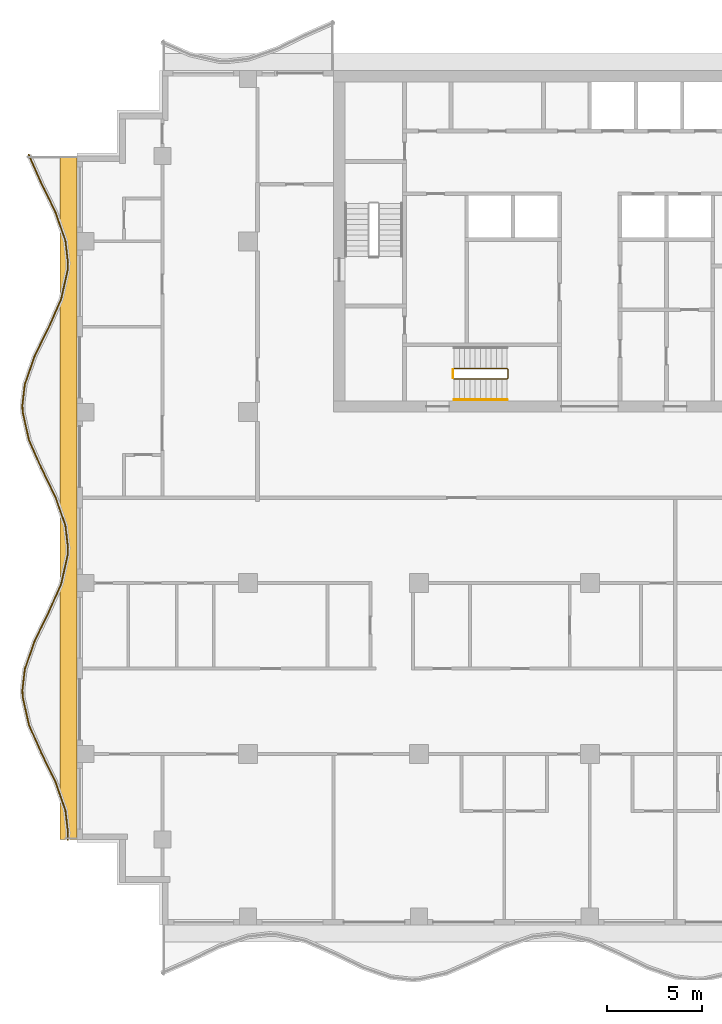
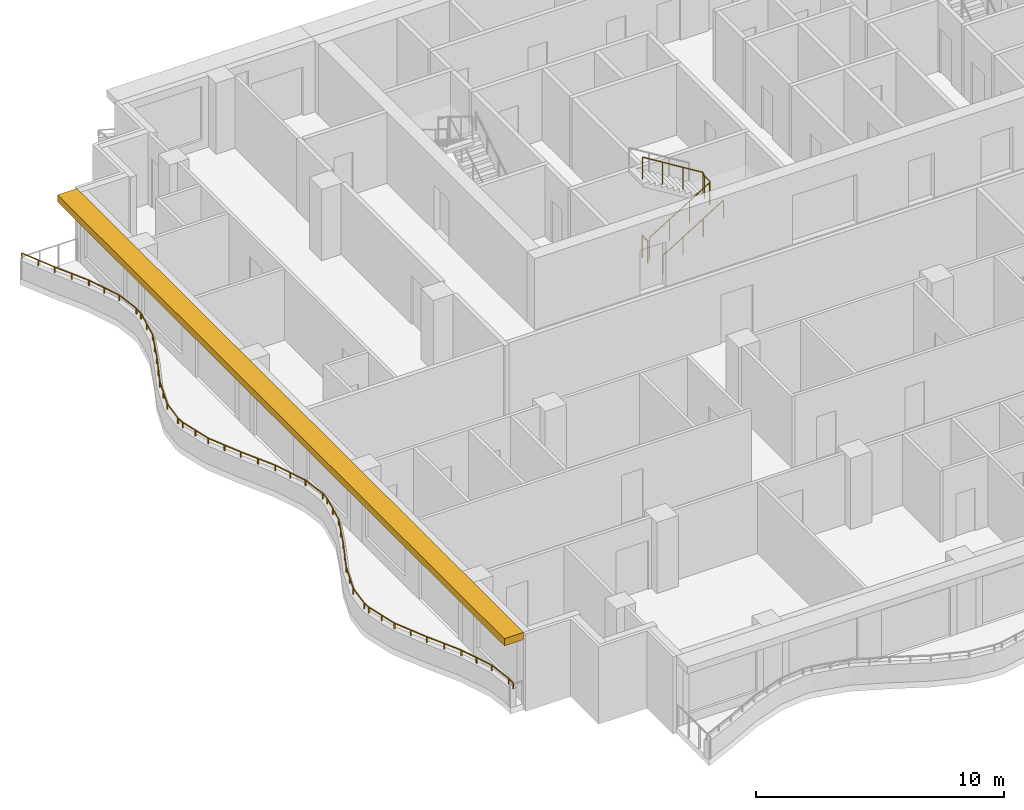
# One storey, part 9 of 11: 4 railings, 1 shading device.
"""IFC4 building model written with IfcOpenShell, lengths in metres."""

from ifc_helpers import new_model, si_unit, direction, frame, origin, origin_2d, place, context, subcontext, project, spatial, polyline, rectangle, circle, outline, extrude, material, layer, layer_set, type_object, element, save


model = new_model("IFC4")

# Units and contexts
model_context = context("Model", 3, precision=1e-05, world=origin(), true_north=direction((0.0, 1.0)))
body_context = subcontext(model_context, "Body", "Model", "MODEL_VIEW")
ifc_project = project(units=[si_unit("LENGTHUNIT", "METRE"), si_unit("AREAUNIT", "SQUARE_METRE"), si_unit("VOLUMEUNIT", "CUBIC_METRE"), si_unit("PLANEANGLEUNIT", "RADIAN"), si_unit("MASSUNIT", "GRAM", prefix="KILO")], contexts=[model_context])

# Site, building, storey
site_placement = place(None, origin())
site = spatial("IfcSite", under=ifc_project, at=site_placement, CompositionType="ELEMENT")
building_placement = place(site_placement, origin())
building = spatial("IfcBuilding", under=site, at=building_placement, Name="Orbiselva Terraces", CompositionType="ELEMENT")
storey_placement = place(building_placement, frame((0.0, 0.0, 254.0)))
storey = spatial("IfcBuildingStorey", under=building, at=storey_placement, Name="L64", CompositionType="ELEMENT", Elevation=254.0)

# Railings
ifc_material_1 = material(Name="Stainless steel", Category="steel")
railing_type_1 = type_object("IfcRailingType", Name="CORE-GUARD-1100", PredefinedType="GUARDRAIL", material=ifc_material_1)
railing_1_placement = place(storey_placement, frame((-7.15, 6.25, 0.172727)))
element("IfcRailing", 1, at=railing_1_placement, inside=storey, type_object=railing_type_1, Name="L64 S3 stair guard 1", PredefinedType="GUARDRAIL", context=body_context, shape_type="SweptSolid", body=[
    extrude(circle(Radius=0.024, at=origin_2d()), frame((0.0, 0.0, 1.081), z_axis=(0.851088519012, 0.0, 0.52502222125), x_axis=(0.0, 1.0, 0.0)), (0.0, 0.0, 1.0), 3.289905),
    extrude(circle(Radius=0.024, at=origin_2d()), frame((2.8, 0.0, 2.808273), z_axis=(0.707106781187, 0.707106781187, 0.0), x_axis=(-0.707106781187, 0.707106781187, 0.0)), (0.0, 0.0, 1.0), 0.070711),
    extrude(circle(Radius=0.024, at=origin_2d()), frame((2.85, 0.05, 2.808273), z_axis=(0.0, 1.0, 0.0), x_axis=(-1.0, 0.0, 0.0)), (0.0, 0.0, 1.0), 0.45),
    extrude(circle(Radius=0.024, at=origin_2d()), frame((2.85, 0.5, 2.808273), z_axis=(-0.267894925557, 0.267894925557, 0.925453736133), x_axis=(-0.707106781187, -0.707106781187, 0.0)), (0.0, 0.0, 1.0), 0.18664),
    extrude(circle(Radius=0.024, at=origin_2d()), frame((2.8, 0.55, 2.981), z_axis=(-0.851088519012, 0.0, 0.52502222125), x_axis=(0.0, -1.0, 0.0)), (0.0, 0.0, 1.0), 3.289905),
    extrude(circle(Radius=0.021, at=origin_2d()), origin(), (0.0, 0.0, 1.0), 1.057),
    extrude(circle(Radius=0.021, at=origin_2d()), frame((0.933333, 0.0, 0.575758)), (0.0, 0.0, 1.0), 1.057),
    extrude(circle(Radius=0.021, at=origin_2d()), frame((1.866667, 0.0, 1.151515)), (0.0, 0.0, 1.0), 1.057),
    extrude(circle(Radius=0.021, at=origin_2d()), frame((2.8, 0.0, 1.727273)), (0.0, 0.0, 1.0), 1.057),
    extrude(circle(Radius=0.021, at=origin_2d()), frame((2.85, 0.05, 1.727273)), (0.0, 0.0, 1.0), 1.057),
    extrude(circle(Radius=0.021, at=origin_2d()), frame((2.85, 0.5, 1.727273)), (0.0, 0.0, 1.0), 1.057),
    extrude(circle(Radius=0.021, at=origin_2d()), frame((2.8, 0.55, 1.9)), (0.0, 0.0, 1.0), 1.057),
    extrude(circle(Radius=0.021, at=origin_2d()), frame((1.866667, 0.55, 2.475758)), (0.0, 0.0, 1.0), 1.057),
    extrude(circle(Radius=0.021, at=origin_2d()), frame((0.933333, 0.55, 3.051515)), (0.0, 0.0, 1.0), 1.057),
    extrude(circle(Radius=0.021, at=origin_2d()), frame((0.0, 0.55, 3.627273)), (0.0, 0.0, 1.0), 1.057),
])
railing_2_placement = place(storey_placement, frame((-7.2, 6.3, 0.0)))
element("IfcRailing", 2, at=railing_2_placement, inside=storey, type_object=railing_type_1, Name="L64 S3 stair guard 2", PredefinedType="GUARDRAIL", context=body_context, shape_type="SweptSolid", body=[
    extrude(circle(Radius=0.024, at=origin_2d()), frame((0.0, 0.0, 1.081), z_axis=(0.0, 1.0, 0.0), x_axis=(-1.0, 0.0, 0.0)), (0.0, 0.0, 1.0), 0.45),
    extrude(circle(Radius=0.021, at=origin_2d()), origin(), (0.0, 0.0, 1.0), 1.057),
    extrude(circle(Radius=0.021, at=origin_2d()), frame((0.0, 0.45, 0.0)), (0.0, 0.0, 1.0), 1.057),
])
railing_type_2 = type_object("IfcRailingType", Name="CORE-HANDRAIL-900", PredefinedType="HANDRAIL", material=ifc_material_1)
railing_3_placement = place(storey_placement, frame((-7.15, 5.15, 0.172727)))
element("IfcRailing", 3, at=railing_3_placement, inside=storey, type_object=railing_type_2, Name="L64 S3 stair handrail 1", PredefinedType="HANDRAIL", context=body_context, shape_type="SweptSolid", body=[
    extrude(circle(Radius=0.024, at=origin_2d()), frame((0.0, 0.0, 0.876), z_axis=(0.851088519012, 0.0, 0.52502222125), x_axis=(0.0, 1.0, 0.0)), (0.0, 0.0, 1.0), 3.289905),
    extrude(circle(Radius=0.021, at=origin_2d()), origin(), (0.0, 0.0, 1.0), 0.852),
    extrude(circle(Radius=0.021, at=origin_2d()), frame((0.933333, 0.0, 0.575758)), (0.0, 0.0, 1.0), 0.852),
    extrude(circle(Radius=0.021, at=origin_2d()), frame((1.866667, 0.0, 1.151515)), (0.0, 0.0, 1.0), 0.852),
    extrude(circle(Radius=0.021, at=origin_2d()), frame((2.8, 0.0, 1.727273)), (0.0, 0.0, 1.0), 0.852),
])
ifc_material_2 = material(Name="Bonded two-ply safety glass balustrade, stainless steel posts", Category="steel")
railing_type_3 = type_object("IfcRailingType", Name="ENV-BALUSTRADE-1200", PredefinedType="BALUSTRADE", material=ifc_material_2)
railing_4_placement = place(storey_placement, frame((-29.534136, 18.050394, 0.9)))
element("IfcRailing", 4, at=railing_4_placement, inside=storey, type_object=railing_type_3, Name="Balcony balustrade L64 W", PredefinedType="BALUSTRADE", context=body_context, shape_type="SweptSolid", body=[
    extrude(outline(polyline([(0.028868, 0.0), (0.014434, 0.025), (-0.014434, 0.025), (-0.028868, 0.0), (-0.014434, -0.025), (0.014434, -0.025), (0.028868, 0.0)])), frame((0.0, 0.0, 0.275), z_axis=(0.403150940408, -0.915133498047, 0.0), x_axis=(0.915133498047, 0.403150940408, 0.0)), (0.0, 0.0, 1.0), 1.636648),
    extrude(outline(polyline([(0.028868, 0.0), (0.014434, 0.025), (-0.014434, 0.025), (-0.028868, 0.0), (-0.014434, -0.025), (0.014434, -0.025), (0.028868, 0.0)])), frame((0.659816, -1.497751, 0.275), z_axis=(0.438812048596, -0.898578870221, 0.0), x_axis=(0.898578870221, 0.438812048596, 0.0)), (0.0, 0.0, 1.0), 1.674225),
    extrude(outline(polyline([(0.028868, 0.0), (0.014434, 0.025), (-0.014434, 0.025), (-0.028868, 0.0), (-0.014434, -0.025), (0.014434, -0.025), (0.028868, 0.0)])), frame((1.394486, -3.002174, 0.275), z_axis=(0.330024597479, -0.943972332783, 0.0), x_axis=(0.943972332783, 0.330024597479, 0.0)), (0.0, 0.0, 1.0), 1.610253),
    extrude(outline(polyline([(0.028868, 0.0), (0.014434, 0.025), (-0.014434, 0.025), (-0.028868, 0.0), (-0.014434, -0.025), (0.014434, -0.025), (0.028868, 0.0)])), frame((1.925909, -4.522208, 0.275), z_axis=(0.115482182324, -0.993309551734, 0.0), x_axis=(0.993309551734, 0.115482182324, 0.0)), (0.0, 0.0, 1.0), 1.156135),
    extrude(outline(polyline([(0.028868, 0.0), (0.014434, 0.025), (-0.014434, 0.025), (-0.028868, 0.0), (-0.014434, -0.025), (0.014434, -0.025), (0.028868, 0.0)])), frame((2.059422, -5.670608, 0.275), z_axis=(-0.03936915532, -0.999224734286, 0.0), x_axis=(0.999224734286, -0.03936915532, 0.0)), (0.0, 0.0, 1.0), 0.396376),
    extrude(outline(polyline([(0.028868, 0.0), (0.014434, 0.025), (-0.014434, 0.025), (-0.028868, 0.0), (-0.014434, -0.025), (0.014434, -0.025), (0.028868, 0.0)])), frame((2.043817, -6.066677, 0.275), z_axis=(-0.219015500924, -0.97572137947, 0.0), x_axis=(0.97572137947, -0.219015500924, 0.0)), (0.0, 0.0, 1.0), 1.560867),
    extrude(outline(polyline([(0.028868, 0.0), (0.014434, 0.025), (-0.014434, 0.025), (-0.028868, 0.0), (-0.014434, -0.025), (0.014434, -0.025), (0.028868, 0.0)])), frame((1.701963, -7.589648, 0.275), z_axis=(-0.403150874148, -0.915133527237, 0.0), x_axis=(0.915133527237, -0.403150874148, 0.0)), (0.0, 0.0, 1.0), 1.653736),
    extrude(outline(polyline([(0.028868, 0.0), (0.014434, 0.025), (-0.014434, 0.025), (-0.028868, 0.0), (-0.014434, -0.025), (0.014434, -0.025), (0.028868, 0.0)])), frame((1.035258, -9.103037, 0.275), z_axis=(-0.438811978768, -0.89857890432, 0.0), x_axis=(0.89857890432, -0.438811978768, 0.0)), (0.0, 0.0, 1.0), 1.66438),
    extrude(outline(polyline([(0.028868, 0.0), (0.014434, 0.025), (-0.014434, 0.025), (-0.028868, 0.0), (-0.014434, -0.025), (0.014434, -0.025), (0.028868, 0.0)])), frame((0.304908, -10.598614, 0.275), z_axis=(-0.330024754707, -0.943972277814, 0.0), x_axis=(0.943972277814, -0.330024754707, 0.0)), (0.0, 0.0, 1.0), 1.567807),
    extrude(outline(polyline([(0.028868, 0.0), (0.014434, 0.025), (-0.014434, 0.025), (-0.028868, 0.0), (-0.014434, -0.025), (0.014434, -0.025), (0.028868, 0.0)])), frame((-0.212507, -12.07858, 0.275), z_axis=(-0.115481264762, -0.993309658409, 0.0), x_axis=(0.993309658409, -0.115481264762, 0.0)), (0.0, 0.0, 1.0), 1.10902),
    extrude(outline(polyline([(0.028868, 0.0), (0.014434, 0.025), (-0.014434, 0.025), (-0.028868, 0.0), (-0.014434, -0.025), (0.014434, -0.025), (0.028868, 0.0)])), frame((-0.340578, -13.18018, 0.275), z_axis=(0.039364150694, -0.999224931454, 0.0), x_axis=(0.999224931454, 0.039364150694, 0.0)), (0.0, 0.0, 1.0), 0.354206),
    extrude(outline(polyline([(0.028868, 0.0), (0.014434, 0.025), (-0.014434, 0.025), (-0.028868, 0.0), (-0.014434, -0.025), (0.014434, -0.025), (0.028868, 0.0)])), frame((-0.326635, -13.534111, 0.275), z_axis=(0.219015740235, -0.975721325753, 0.0), x_axis=(0.975721325753, 0.219015740235, 0.0)), (0.0, 0.0, 1.0), 1.513782),
    extrude(outline(polyline([(0.028868, 0.0), (0.014434, 0.025), (-0.014434, 0.025), (-0.028868, 0.0), (-0.014434, -0.025), (0.014434, -0.025), (0.028868, 0.0)])), frame((0.004907, -15.01114, 0.275), z_axis=(0.403151245402, -0.915133363686, 0.0), x_axis=(0.915133363686, 0.403151245402, 0.0)), (0.0, 0.0, 1.0), 1.624475),
    extrude(outline(polyline([(0.028868, 0.0), (0.014434, 0.025), (-0.014434, 0.025), (-0.028868, 0.0), (-0.014434, -0.025), (0.014434, -0.025), (0.028868, 0.0)])), frame((0.659816, -16.497751, 0.275), z_axis=(0.438812048596, -0.898578870221, 0.0), x_axis=(0.898578870221, 0.438812048596, 0.0)), (0.0, 0.0, 1.0), 1.674225),
    extrude(outline(polyline([(0.028868, 0.0), (0.014434, 0.025), (-0.014434, 0.025), (-0.028868, 0.0), (-0.014434, -0.025), (0.014434, -0.025), (0.028868, 0.0)])), frame((1.394486, -18.002174, 0.275), z_axis=(0.330024597479, -0.943972332783, 0.0), x_axis=(0.943972332783, 0.330024597479, 0.0)), (0.0, 0.0, 1.0), 1.610253),
    extrude(outline(polyline([(0.028868, 0.0), (0.014434, 0.025), (-0.014434, 0.025), (-0.028868, 0.0), (-0.014434, -0.025), (0.014434, -0.025), (0.028868, 0.0)])), frame((1.925909, -19.522208, 0.275), z_axis=(0.115482182324, -0.993309551734, 0.0), x_axis=(0.993309551734, 0.115482182324, 0.0)), (0.0, 0.0, 1.0), 1.156135),
    extrude(outline(polyline([(0.028868, 0.0), (0.014434, 0.025), (-0.014434, 0.025), (-0.028868, 0.0), (-0.014434, -0.025), (0.014434, -0.025), (0.028868, 0.0)])), frame((2.059422, -20.670608, 0.275), z_axis=(-0.03936915532, -0.999224734286, 0.0), x_axis=(0.999224734286, -0.03936915532, 0.0)), (0.0, 0.0, 1.0), 0.396376),
    extrude(outline(polyline([(0.028868, 0.0), (0.014434, 0.025), (-0.014434, 0.025), (-0.028868, 0.0), (-0.014434, -0.025), (0.014434, -0.025), (0.028868, 0.0)])), frame((2.043817, -21.066677, 0.275), z_axis=(-0.219015500924, -0.97572137947, 0.0), x_axis=(0.97572137947, -0.219015500924, 0.0)), (0.0, 0.0, 1.0), 1.560867),
    extrude(outline(polyline([(0.028868, 0.0), (0.014434, 0.025), (-0.014434, 0.025), (-0.028868, 0.0), (-0.014434, -0.025), (0.014434, -0.025), (0.028868, 0.0)])), frame((1.701963, -22.589648, 0.275), z_axis=(-0.403150874148, -0.915133527237, 0.0), x_axis=(0.915133527237, -0.403150874148, 0.0)), (0.0, 0.0, 1.0), 1.653736),
    extrude(outline(polyline([(0.028868, 0.0), (0.014434, 0.025), (-0.014434, 0.025), (-0.028868, 0.0), (-0.014434, -0.025), (0.014434, -0.025), (0.028868, 0.0)])), frame((1.035258, -24.103037, 0.275), z_axis=(-0.438811978768, -0.89857890432, 0.0), x_axis=(0.89857890432, -0.438811978768, 0.0)), (0.0, 0.0, 1.0), 1.66438),
    extrude(outline(polyline([(0.028868, 0.0), (0.014434, 0.025), (-0.014434, 0.025), (-0.028868, 0.0), (-0.014434, -0.025), (0.014434, -0.025), (0.028868, 0.0)])), frame((0.304908, -25.598614, 0.275), z_axis=(-0.330024754707, -0.943972277814, 0.0), x_axis=(0.943972277814, -0.330024754707, 0.0)), (0.0, 0.0, 1.0), 1.567807),
    extrude(outline(polyline([(0.028868, 0.0), (0.014434, 0.025), (-0.014434, 0.025), (-0.028868, 0.0), (-0.014434, -0.025), (0.014434, -0.025), (0.028868, 0.0)])), frame((-0.212507, -27.07858, 0.275), z_axis=(-0.115481264762, -0.993309658409, 0.0), x_axis=(0.993309658409, -0.115481264762, 0.0)), (0.0, 0.0, 1.0), 1.10902),
    extrude(outline(polyline([(0.028868, 0.0), (0.014434, 0.025), (-0.014434, 0.025), (-0.028868, 0.0), (-0.014434, -0.025), (0.014434, -0.025), (0.028868, 0.0)])), frame((-0.340578, -28.18018, 0.275), z_axis=(0.039364150694, -0.999224931454, 0.0), x_axis=(0.999224931454, 0.039364150694, 0.0)), (0.0, 0.0, 1.0), 0.354206),
    extrude(outline(polyline([(0.028868, 0.0), (0.014434, 0.025), (-0.014434, 0.025), (-0.028868, 0.0), (-0.014434, -0.025), (0.014434, -0.025), (0.028868, 0.0)])), frame((-0.326635, -28.534111, 0.275), z_axis=(0.219015740235, -0.975721325753, 0.0), x_axis=(0.975721325753, 0.219015740235, 0.0)), (0.0, 0.0, 1.0), 1.513782),
    extrude(outline(polyline([(0.028868, 0.0), (0.014434, 0.025), (-0.014434, 0.025), (-0.028868, 0.0), (-0.014434, -0.025), (0.014434, -0.025), (0.028868, 0.0)])), frame((0.004907, -30.01114, 0.275), z_axis=(0.403151245402, -0.915133363686, 0.0), x_axis=(0.915133363686, 0.403151245402, 0.0)), (0.0, 0.0, 1.0), 1.624475),
    extrude(outline(polyline([(0.028868, 0.0), (0.014434, 0.025), (-0.014434, 0.025), (-0.028868, 0.0), (-0.014434, -0.025), (0.014434, -0.025), (0.028868, 0.0)])), frame((0.659816, -31.497751, 0.275), z_axis=(0.438812048596, -0.898578870221, 0.0), x_axis=(0.898578870221, 0.438812048596, 0.0)), (0.0, 0.0, 1.0), 1.674225),
    extrude(outline(polyline([(0.028868, 0.0), (0.014434, 0.025), (-0.014434, 0.025), (-0.028868, 0.0), (-0.014434, -0.025), (0.014434, -0.025), (0.028868, 0.0)])), frame((1.394486, -33.002174, 0.275), z_axis=(0.330024597479, -0.943972332783, 0.0), x_axis=(0.943972332783, 0.330024597479, 0.0)), (0.0, 0.0, 1.0), 1.610253),
    extrude(outline(polyline([(0.028868, 0.0), (0.014434, 0.025), (-0.014434, 0.025), (-0.028868, 0.0), (-0.014434, -0.025), (0.014434, -0.025), (0.028868, 0.0)])), frame((1.925909, -34.522208, 0.275), z_axis=(0.115482182324, -0.993309551734, 0.0), x_axis=(0.993309551734, 0.115482182324, 0.0)), (0.0, 0.0, 1.0), 1.156135),
    extrude(outline(polyline([(0.028868, 0.0), (0.014434, 0.025), (-0.014434, 0.025), (-0.028868, 0.0), (-0.014434, -0.025), (0.014434, -0.025), (0.028868, 0.0)])), frame((2.059422, -35.670608, 0.275), z_axis=(-0.039368272023, -0.999224769087, 0.0), x_axis=(0.999224769087, -0.039368272023, 0.0)), (0.0, 0.0, 1.0), 0.385005),
    extrude(rectangle(XDim=0.05, YDim=0.05, at=origin_2d()), origin(), (0.0, 0.0, 1.0), 0.25),
    extrude(rectangle(XDim=0.05, YDim=0.05, at=origin_2d()), frame((0.329908, -0.748876, 0.0)), (0.0, 0.0, 1.0), 0.25),
    extrude(rectangle(XDim=0.05, YDim=0.05, at=origin_2d()), frame((0.659816, -1.497751, 0.0)), (0.0, 0.0, 1.0), 0.25),
    extrude(rectangle(XDim=0.05, YDim=0.05, at=origin_2d()), frame((1.027151, -2.249963, 0.0)), (0.0, 0.0, 1.0), 0.25),
    extrude(rectangle(XDim=0.05, YDim=0.05, at=origin_2d()), frame((1.394486, -3.002174, 0.0)), (0.0, 0.0, 1.0), 0.25),
    extrude(rectangle(XDim=0.05, YDim=0.05, at=origin_2d()), frame((1.660198, -3.762191, 0.0)), (0.0, 0.0, 1.0), 0.25),
    extrude(rectangle(XDim=0.05, YDim=0.05, at=origin_2d()), frame((1.925909, -4.522208, 0.0)), (0.0, 0.0, 1.0), 0.25),
    extrude(rectangle(XDim=0.05, YDim=0.05, at=origin_2d()), frame((2.059422, -5.670608, 0.0)), (0.0, 0.0, 1.0), 0.25),
    extrude(rectangle(XDim=0.05, YDim=0.05, at=origin_2d()), frame((2.043817, -6.066677, 0.0)), (0.0, 0.0, 1.0), 0.25),
    extrude(rectangle(XDim=0.05, YDim=0.05, at=origin_2d()), frame((1.87289, -6.828162, 0.0)), (0.0, 0.0, 1.0), 0.25),
    extrude(rectangle(XDim=0.05, YDim=0.05, at=origin_2d()), frame((1.701963, -7.589648, 0.0)), (0.0, 0.0, 1.0), 0.25),
    extrude(rectangle(XDim=0.05, YDim=0.05, at=origin_2d()), frame((1.36861, -8.346342, 0.0)), (0.0, 0.0, 1.0), 0.25),
    extrude(rectangle(XDim=0.05, YDim=0.05, at=origin_2d()), frame((1.035258, -9.103037, 0.0)), (0.0, 0.0, 1.0), 0.25),
    extrude(rectangle(XDim=0.05, YDim=0.05, at=origin_2d()), frame((0.670083, -9.850826, 0.0)), (0.0, 0.0, 1.0), 0.25),
    extrude(rectangle(XDim=0.05, YDim=0.05, at=origin_2d()), frame((0.304908, -10.598614, 0.0)), (0.0, 0.0, 1.0), 0.25),
    extrude(rectangle(XDim=0.05, YDim=0.05, at=origin_2d()), frame((0.046201, -11.338597, 0.0)), (0.0, 0.0, 1.0), 0.25),
    extrude(rectangle(XDim=0.05, YDim=0.05, at=origin_2d()), frame((-0.212507, -12.07858, 0.0)), (0.0, 0.0, 1.0), 0.25),
    extrude(rectangle(XDim=0.05, YDim=0.05, at=origin_2d()), frame((-0.340578, -13.18018, 0.0)), (0.0, 0.0, 1.0), 0.25),
    extrude(rectangle(XDim=0.05, YDim=0.05, at=origin_2d()), frame((-0.326635, -13.534111, 0.0)), (0.0, 0.0, 1.0), 0.25),
    extrude(rectangle(XDim=0.05, YDim=0.05, at=origin_2d()), frame((-0.160864, -14.272626, 0.0)), (0.0, 0.0, 1.0), 0.25),
    extrude(rectangle(XDim=0.05, YDim=0.05, at=origin_2d()), frame((0.004907, -15.01114, 0.0)), (0.0, 0.0, 1.0), 0.25),
    extrude(rectangle(XDim=0.05, YDim=0.05, at=origin_2d()), frame((0.332361, -15.754446, 0.0)), (0.0, 0.0, 1.0), 0.25),
    extrude(rectangle(XDim=0.05, YDim=0.05, at=origin_2d()), frame((0.659816, -16.497751, 0.0)), (0.0, 0.0, 1.0), 0.25),
    extrude(rectangle(XDim=0.05, YDim=0.05, at=origin_2d()), frame((1.027151, -17.249963, 0.0)), (0.0, 0.0, 1.0), 0.25),
    extrude(rectangle(XDim=0.05, YDim=0.05, at=origin_2d()), frame((1.394486, -18.002174, 0.0)), (0.0, 0.0, 1.0), 0.25),
    extrude(rectangle(XDim=0.05, YDim=0.05, at=origin_2d()), frame((1.660198, -18.762191, 0.0)), (0.0, 0.0, 1.0), 0.25),
    extrude(rectangle(XDim=0.05, YDim=0.05, at=origin_2d()), frame((1.925909, -19.522208, 0.0)), (0.0, 0.0, 1.0), 0.25),
    extrude(rectangle(XDim=0.05, YDim=0.05, at=origin_2d()), frame((2.059422, -20.670608, 0.0)), (0.0, 0.0, 1.0), 0.25),
    extrude(rectangle(XDim=0.05, YDim=0.05, at=origin_2d()), frame((2.043817, -21.066677, 0.0)), (0.0, 0.0, 1.0), 0.25),
    extrude(rectangle(XDim=0.05, YDim=0.05, at=origin_2d()), frame((1.87289, -21.828162, 0.0)), (0.0, 0.0, 1.0), 0.25),
    extrude(rectangle(XDim=0.05, YDim=0.05, at=origin_2d()), frame((1.701963, -22.589648, 0.0)), (0.0, 0.0, 1.0), 0.25),
    extrude(rectangle(XDim=0.05, YDim=0.05, at=origin_2d()), frame((1.36861, -23.346342, 0.0)), (0.0, 0.0, 1.0), 0.25),
    extrude(rectangle(XDim=0.05, YDim=0.05, at=origin_2d()), frame((1.035258, -24.103037, 0.0)), (0.0, 0.0, 1.0), 0.25),
    extrude(rectangle(XDim=0.05, YDim=0.05, at=origin_2d()), frame((0.670083, -24.850826, 0.0)), (0.0, 0.0, 1.0), 0.25),
    extrude(rectangle(XDim=0.05, YDim=0.05, at=origin_2d()), frame((0.304908, -25.598614, 0.0)), (0.0, 0.0, 1.0), 0.25),
    extrude(rectangle(XDim=0.05, YDim=0.05, at=origin_2d()), frame((0.046201, -26.338597, 0.0)), (0.0, 0.0, 1.0), 0.25),
    extrude(rectangle(XDim=0.05, YDim=0.05, at=origin_2d()), frame((-0.212507, -27.07858, 0.0)), (0.0, 0.0, 1.0), 0.25),
    extrude(rectangle(XDim=0.05, YDim=0.05, at=origin_2d()), frame((-0.340578, -28.18018, 0.0)), (0.0, 0.0, 1.0), 0.25),
    extrude(rectangle(XDim=0.05, YDim=0.05, at=origin_2d()), frame((-0.326635, -28.534111, 0.0)), (0.0, 0.0, 1.0), 0.25),
    extrude(rectangle(XDim=0.05, YDim=0.05, at=origin_2d()), frame((-0.160864, -29.272626, 0.0)), (0.0, 0.0, 1.0), 0.25),
    extrude(rectangle(XDim=0.05, YDim=0.05, at=origin_2d()), frame((0.004907, -30.01114, 0.0)), (0.0, 0.0, 1.0), 0.25),
    extrude(rectangle(XDim=0.05, YDim=0.05, at=origin_2d()), frame((0.332361, -30.754446, 0.0)), (0.0, 0.0, 1.0), 0.25),
    extrude(rectangle(XDim=0.05, YDim=0.05, at=origin_2d()), frame((0.659816, -31.497751, 0.0)), (0.0, 0.0, 1.0), 0.25),
    extrude(rectangle(XDim=0.05, YDim=0.05, at=origin_2d()), frame((1.027151, -32.249962, 0.0)), (0.0, 0.0, 1.0), 0.25),
    extrude(rectangle(XDim=0.05, YDim=0.05, at=origin_2d()), frame((1.394486, -33.002174, 0.0)), (0.0, 0.0, 1.0), 0.25),
    extrude(rectangle(XDim=0.05, YDim=0.05, at=origin_2d()), frame((1.660198, -33.762191, 0.0)), (0.0, 0.0, 1.0), 0.25),
    extrude(rectangle(XDim=0.05, YDim=0.05, at=origin_2d()), frame((1.925909, -34.522208, 0.0)), (0.0, 0.0, 1.0), 0.25),
    extrude(rectangle(XDim=0.05, YDim=0.05, at=origin_2d()), frame((2.059422, -35.670608, 0.0)), (0.0, 0.0, 1.0), 0.25),
    extrude(rectangle(XDim=0.05, YDim=0.05, at=origin_2d()), frame((2.044265, -36.055315, 0.0)), (0.0, 0.0, 1.0), 0.25),
])

# Shading device
ifc_material_3 = material(Name="Terracotta baguette sunshade", Category="masonry")
ifc_layer = layer(ifc_material_3, 0.35)
ifc_layer_set = layer_set([ifc_layer], Name="Terracotta baguette sunshade")
shading_device_type = type_object("IfcShadingDeviceType", Name="ENV-SUNSHADE-900x350", PredefinedType="USERDEFINED", material=ifc_layer_set)
shading_device_placement = place(storey_placement, frame((0.0, 0.0, 3.15)))
element("IfcShadingDevice", 5, at=shading_device_placement, inside=storey, type_object=shading_device_type, Name="Sunshade band L64 W", ObjectType="SUNSHADE", PredefinedType="USERDEFINED", context=body_context, shape_type="SweptSolid", body=[
    extrude(outline(polyline([(-27.9, 18.0), (-27.9, -18.0), (-27.0, -18.0), (-27.0, 18.0), (-27.9, 18.0)])), origin(), (0.0, 0.0, 1.0), 0.35),
])

save(model, "model.ifc")
